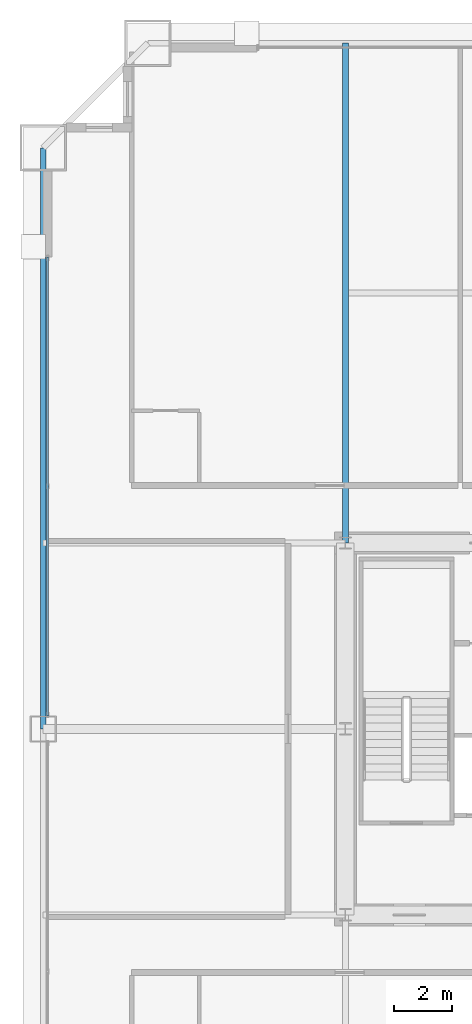
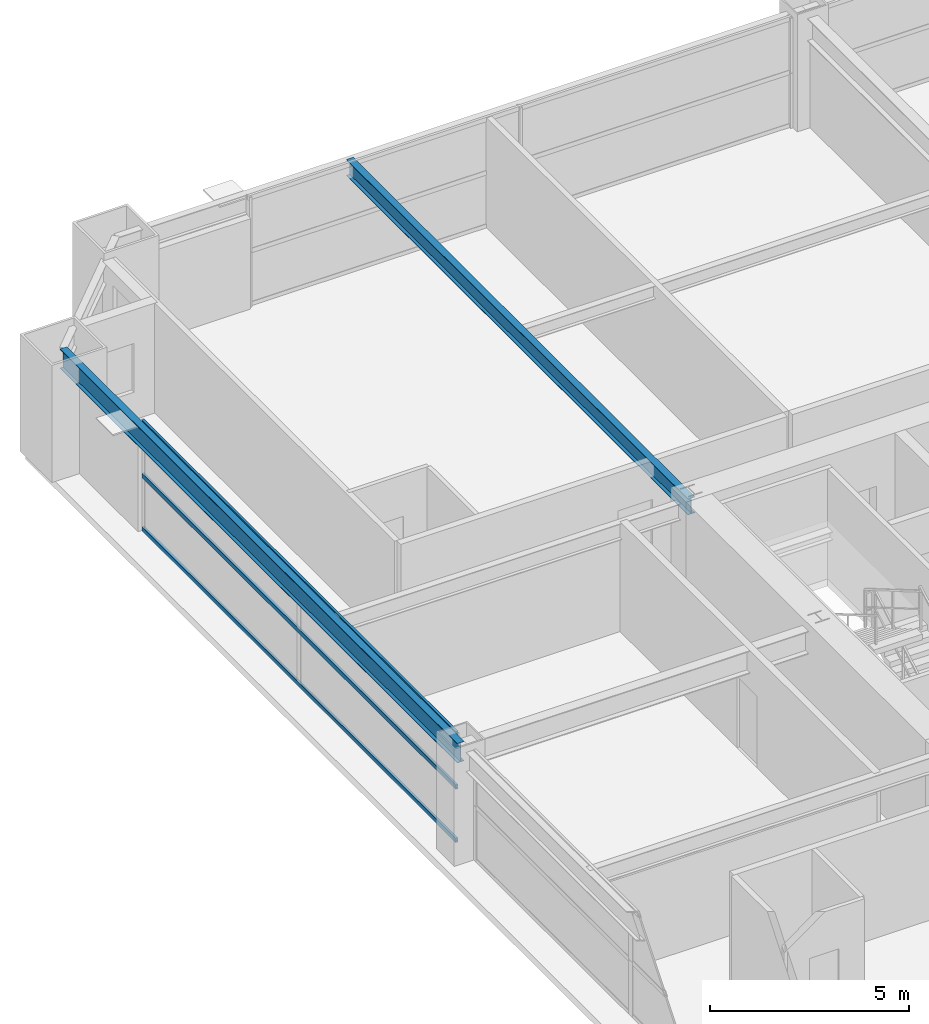
# One storey, part 21 of 37: 3 members, 2 beams, 1 element without a shape of its own.
"""IFC4 building model written with IfcOpenShell, lengths in metres."""

import ifcopenshell
import ifcopenshell.guid

model = None  # the IFC model being written
_history = None  # IfcOwnerHistory: only IFC2X3 demands one
_inside = {}  # id of a spatial element -> (the spatial element, [elements in it])
_under = {}  # id of a project, library or spatial element -> (it, [spatial elements below it])
_declared = {}  # id of a project -> (the project, [libraries it declares])
_typed = {}  # id of a type object -> (the type object, [elements of that type])
_made_of = {}  # id of a material, layer set ... -> (it, [elements and type objects made of it])


def new_model(schema):
    """Start an empty IFC model of exactly this schema.

    Asked for "IFC4X3", IfcOpenShell would pick the latest addendum, in which some entities
    have other attributes; the version numbers below select the first issue.
    IFC2X3 requires an IfcOwnerHistory on every rooted entity: one is made here for all.
    """
    global model, _history
    if schema == "IFC4X3":
        model = ifcopenshell.file(schema_version=(4, 3, 0, 0))
    else:
        model = ifcopenshell.file(schema=schema)
    _inside.clear()
    _under.clear()
    _declared.clear()
    _typed.clear()
    _made_of.clear()
    _history = None
    if model.schema == "IFC2X3":
        org = make("IfcOrganization", Name="unknown")
        user = make(
            "IfcPersonAndOrganization",
            ThePerson=make("IfcPerson", FamilyName="unknown"),
            TheOrganization=org,
        )
        app = make(
            "IfcApplication",
            ApplicationDeveloper=org,
            Version="unknown",
            ApplicationFullName="unknown",
            ApplicationIdentifier="unknown",
        )
        _history = make(
            "IfcOwnerHistory",
            OwningUser=user,
            OwningApplication=app,
            ChangeAction="ADDED",
            CreationDate=0,
        )
    return model


def make(cls, **values):
    """One entity of the class cls with the attributes given. An attribute that is None is left unset."""
    return model.create_entity(
        cls, **{name: value for name, value in values.items() if value is not None}
    )


def rooted(cls, **values):
    """An entity with a GlobalId (a new one), such as an element, a storey or a relation."""
    return make(cls, GlobalId=ifcopenshell.guid.new(), OwnerHistory=_history, **values)


def si_unit(unit_type, name, prefix=None):
    """IfcSIUnit, for example si_unit("LENGTHUNIT", "METRE", prefix="MILLI")."""
    return make("IfcSIUnit", UnitType=unit_type, Prefix=prefix, Name=name)


def assignment(units):
    """IfcUnitAssignment: the units of a project."""
    return None if units is None else make("IfcUnitAssignment", Units=units)


def point(xyz):
    """IfcCartesianPoint."""
    return None if xyz is None else make("IfcCartesianPoint", Coordinates=xyz)


def direction(xyz):
    """IfcDirection."""
    return None if xyz is None else make("IfcDirection", DirectionRatios=xyz)


def frame(location, z_axis=None, x_axis=None):
    """IfcAxis2Placement3D, a coordinate frame: its origin and axes. An axis left out is left unset."""
    return make(
        "IfcAxis2Placement3D",
        Location=point(location),
        Axis=direction(z_axis),
        RefDirection=direction(x_axis),
    )


def frame_2d(location, x_axis=None):
    """IfcAxis2Placement2D, a coordinate frame in the plane: its origin and x axis."""
    return make(
        "IfcAxis2Placement2D", Location=point(location), RefDirection=direction(x_axis)
    )


def origin():
    """The frame at (0, 0, 0) with its axes left unset."""
    return frame((0.0, 0.0, 0.0))


def origin_2d():
    """The frame at (0, 0) in the plane with its x axis left unset."""
    return frame_2d((0.0, 0.0))


def place(relative_to, where):
    """IfcLocalPlacement: puts the frame where relative to a parent placement (None: the world)."""
    return make(
        "IfcLocalPlacement", PlacementRelTo=relative_to, RelativePlacement=where
    )


def context(
    kind, dimensions, precision=None, world=None, true_north=None, identifier=None
):
    """IfcGeometricRepresentationContext, for example the 3D "Model" context."""
    return make(
        "IfcGeometricRepresentationContext",
        ContextIdentifier=identifier,
        ContextType=kind,
        CoordinateSpaceDimension=dimensions,
        Precision=precision,
        WorldCoordinateSystem=world,
        TrueNorth=true_north,
    )


def subcontext(parent, identifier, kind, view, scale=None):
    """IfcGeometricRepresentationSubContext, for example "Body" below "Model"."""
    return make(
        "IfcGeometricRepresentationSubContext",
        ContextIdentifier=identifier,
        ContextType=kind,
        ParentContext=parent,
        TargetScale=scale,
        TargetView=view,
    )


def project(units=None, contexts=None):
    """IfcProject with its units and contexts."""
    return rooted(
        "IfcProject",
        Name="project",
        RepresentationContexts=contexts,
        UnitsInContext=assignment(units),
    )


def spatial(cls, under=None, at=None, **own):
    """A site, building, storey or space (cls), placed at a placement, below another one or the project."""
    s = rooted(cls, ObjectPlacement=at, **own)
    if under is not None:
        _under.setdefault(under.id(), (under, []))[1].append(s)
    return s


def profile(cls, at=None, kind="AREA", **sizes):
    """A parametric profile (cls). Its sizes go by their IFC names, for example OverallWidth=200.0."""
    return make(cls, ProfileType=kind, Position=at, **sizes)


def hollow_rectangle(**sizes):
    """IfcRectangleHollowProfileDef."""
    return profile("IfcRectangleHollowProfileDef", **sizes)


def i_section(**sizes):
    """IfcIShapeProfileDef."""
    return profile("IfcIShapeProfileDef", **sizes)


def extrude(swept, where, along, depth):
    """IfcExtrudedAreaSolid: the profile swept, set in the frame where, extruded along a direction by depth."""
    return make(
        "IfcExtrudedAreaSolid",
        SweptArea=swept,
        Position=where,
        ExtrudedDirection=direction(along),
        Depth=depth,
    )


def shape(context_of_items, identifier, shape_type, items):
    """IfcShapeRepresentation: the items that make up one representation, for example the "Body"."""
    return make(
        "IfcShapeRepresentation",
        ContextOfItems=context_of_items,
        RepresentationIdentifier=identifier,
        RepresentationType=shape_type,
        Items=items,
    )


def source(mapping_origin, context_of_items, identifier, shape_type, items):
    """IfcRepresentationMap: a shape defined once, which mapped items show again and again."""
    return make(
        "IfcRepresentationMap",
        MappingOrigin=mapping_origin,
        MappedRepresentation=shape(context_of_items, identifier, shape_type, items),
    )


def transform(
    local_origin,
    x_axis=None,
    y_axis=None,
    z_axis=None,
    scale=None,
    scale2=None,
    scale3=None,
    uniform=True,
):
    """IfcCartesianTransformationOperator3D, or its non-uniform kind. x_axis, y_axis, z_axis: its Axis1, 2, 3."""
    if uniform:
        return make(
            "IfcCartesianTransformationOperator3D",
            Axis1=direction(x_axis),
            Axis2=direction(y_axis),
            LocalOrigin=point(local_origin),
            Scale=scale,
            Axis3=direction(z_axis),
        )
    return make(
        "IfcCartesianTransformationOperator3DnonUniform",
        Axis1=direction(x_axis),
        Axis2=direction(y_axis),
        LocalOrigin=point(local_origin),
        Scale=scale,
        Axis3=direction(z_axis),
        Scale2=scale2,
        Scale3=scale3,
    )


def mapped(mapping_source, mapping_target):
    """IfcMappedItem: shows the shape of a source again, moved by a transform."""
    return make(
        "IfcMappedItem", MappingSource=mapping_source, MappingTarget=mapping_target
    )


def material(Name=None, Category=None):
    """IfcMaterial."""
    return make("IfcMaterial", Name=Name, Category=Category)


def layer(
    of_material, thickness, ventilated=None, Name=None, Category=None, Priority=None
):
    """IfcMaterialLayer: one layer of a wall or slab, of a material (None: an air gap)."""
    return make(
        "IfcMaterialLayer",
        Material=of_material,
        LayerThickness=thickness,
        IsVentilated=ventilated,
        Name=Name,
        Category=Category,
        Priority=Priority,
    )


def layer_set(layers, Name=None):
    """IfcMaterialLayerSet."""
    return make("IfcMaterialLayerSet", MaterialLayers=layers, LayerSetName=Name)


def material_profile(
    of_material, cross_section, Name=None, Category=None, Priority=None
):
    """IfcMaterialProfile: a cross section and its material."""
    return make(
        "IfcMaterialProfile",
        Name=Name,
        Material=of_material,
        Profile=cross_section,
        Priority=Priority,
        Category=Category,
    )


def profile_set(profiles, Name=None, composite=None):
    """IfcMaterialProfileSet."""
    return make(
        "IfcMaterialProfileSet",
        Name=Name,
        MaterialProfiles=profiles,
        CompositeProfile=composite,
    )


def made_of(thing, what):
    """Note that an element or type object is made of a material, layer set ...; save() writes the relation."""
    if what is not None:
        _made_of.setdefault(what.id(), (what, []))[1].append(thing)
    return thing


def type_object(cls, material=None, **own):
    """A type object (cls), such as IfcWallType, which elements share."""
    return made_of(rooted(cls, **own), material)


def element(
    cls,
    number,
    at=None,
    inside=None,
    cuts=None,
    type_object=None,
    material=None,
    context=None,
    identifier="Body",
    shape_type=None,
    held_by="IfcProductDefinitionShape",
    body=None,
    shapes=None,
    **own,
):
    """One element of the class cls, such as IfcWall. Its Tag is "e" and its number.

    at: its placement. inside: the storey or other place that contains it. cuts: it is an
    opening in that element (IfcRelVoidsElement). A single representation is given by context,
    identifier, shape_type and body (its items); several are given by shapes. held_by: the class
    of the entity that holds the representations. save() writes the other relations.
    """
    e = rooted(cls, Tag="e%d" % number, ObjectPlacement=at, **own)
    if body is not None:
        shapes = [shape(context, identifier, shape_type, body)]
    if shapes is not None:
        e.Representation = make(held_by, Representations=shapes)
    if inside is not None:
        _inside.setdefault(inside.id(), (inside, []))[1].append(e)
    if cuts is not None:
        rooted(
            "IfcRelVoidsElement", RelatingBuildingElement=cuts, RelatedOpeningElement=e
        )
    if type_object is not None:
        _typed.setdefault(type_object.id(), (type_object, []))[1].append(e)
    return made_of(e, material)


def aggregate(whole, parts):
    """IfcRelAggregates: a whole, such as a stair, and the parts it consists of."""
    return rooted("IfcRelAggregates", RelatingObject=whole, RelatedObjects=parts)


def save(model, path):
    """Write the relations noted so far, then the file.

    IfcRelAggregates (storeys below a building ...), IfcRelContainedInSpatialStructure (elements
    in a storey), IfcRelDefinesByType, IfcRelAssociatesMaterial and IfcRelDeclares: one each for
    every whole, place, type object, material and project.
    """
    for whole, parts in _under.values():
        aggregate(whole, parts)
    for where, things in _inside.values():
        rooted(
            "IfcRelContainedInSpatialStructure",
            RelatedElements=things,
            RelatingStructure=where,
        )
    for kind, things in _typed.values():
        rooted("IfcRelDefinesByType", RelatedObjects=things, RelatingType=kind)
    for what, things in _made_of.values():
        rooted("IfcRelAssociatesMaterial", RelatedObjects=things, RelatingMaterial=what)
    for by, libraries in _declared.values():
        rooted("IfcRelDeclares", RelatingContext=by, RelatedDefinitions=libraries)
    model.write(path)


model = new_model("IFC4")

# Units and contexts
model_context = context("Model", 3, precision=1e-05, world=origin(), true_north=direction((0.0, 1.0)))
body_context = subcontext(model_context, "Body", "Model", "MODEL_VIEW")
ifc_project = project(units=[si_unit("LENGTHUNIT", "METRE"), si_unit("AREAUNIT", "SQUARE_METRE"), si_unit("VOLUMEUNIT", "CUBIC_METRE"), si_unit("PLANEANGLEUNIT", "RADIAN"), si_unit("MASSUNIT", "GRAM", prefix="KILO"), si_unit("THERMODYNAMICTEMPERATUREUNIT", "KELVIN"), si_unit("POWERUNIT", "WATT")], contexts=[model_context])

# Site, building, storey
site_placement = place(None, origin())
site = spatial("IfcSite", under=ifc_project, at=site_placement, CompositionType="ELEMENT")
building_placement = place(site_placement, origin())
building = spatial("IfcBuilding", under=site, at=building_placement, Name="Yuzanri Waterfront Tower", CompositionType="ELEMENT")
storey_placement = place(building_placement, frame((0.0, 0.0, 104.60009765625)))
storey = spatial("IfcBuildingStorey", under=building, at=storey_placement, Name="L27", CompositionType="ELEMENT", Elevation=104.60009765625)

# Beams
ifc_material_1 = material(Name="Steel Q355B", Category="steel")
ifc_material_profile_1 = material_profile(ifc_material_1, i_section(OverallWidth=0.199951171875, OverallDepth=0.60009765625, WebThickness=0.010986328125, FlangeThickness=0.01708984375, at=origin_2d()), Name="HN 600x200x11x17")
ifc_profile_set_1 = profile_set([ifc_material_profile_1], Name="Steel Q355B")
beam_type_1 = type_object("IfcBeamType", Name="Perimeter Spandrel Q355B HN 600x200", PredefinedType="SPANDREL", material=ifc_profile_set_1)
shared_shape_1 = source(origin(), body_context, "Body", "SweptSolid", [
    extrude(i_section(OverallWidth=0.199951171875, OverallDepth=0.60009765625, WebThickness=0.010986328125, FlangeThickness=0.01708984375, at=origin_2d()), origin(), (0.0, 0.0, 1.0), 20.0),
])
beam_1_placement = place(storey_placement, frame((13.39990234375, 45.800048828125, 3.079833984375), z_axis=(0.0, -1.0, 0.0), x_axis=(1.0, 0.0, 0.0)))
element("IfcBeam", 1, at=beam_1_placement, inside=storey, type_object=beam_type_1, Name="L27 Perimeter Spandrel W3-W2", PredefinedType="SPANDREL", context=body_context, shape_type="MappedRepresentation", body=[
    mapped(shared_shape_1, transform((0.0, 0.0, 0.0), scale=1.0)),
])
ifc_material_2 = material(Name="Steel Q355B", Category="steel")
ifc_material_profile_2 = material_profile(ifc_material_2, i_section(OverallWidth=0.199951171875, OverallDepth=0.5, WebThickness=0.010009765625, FlangeThickness=0.01611328125, at=origin_2d()), Name="HN 500x200x10x16")
ifc_profile_set_2 = profile_set([ifc_material_profile_2], Name="Steel Q355B")
beam_type_2 = type_object("IfcBeamType", Name="Secondary Floor Beam Q355B HN 500x200", PredefinedType="BEAM", material=ifc_profile_set_2)
shared_shape_2 = source(origin(), body_context, "Body", "SweptSolid", [
    extrude(i_section(OverallWidth=0.199951171875, OverallDepth=0.5, WebThickness=0.010009765625, FlangeThickness=0.01611328125, at=origin_2d()), origin(), (0.0, 0.0, 1.0), 17.199951171875),
])
beam_2_placement = place(storey_placement, frame((23.800048828125, 32.199951171875, 3.1298828125), z_axis=(0.0, 1.0, 0.0), x_axis=(-1.0, 0.0, 0.0)))
element("IfcBeam", 2, at=beam_2_placement, inside=storey, type_object=beam_type_2, Name="L27 North-West Core Line Beam", PredefinedType="BEAM", context=body_context, shape_type="MappedRepresentation", body=[
    mapped(shared_shape_2, transform((0.0, 0.0, 0.0), scale=1.0)),
])

# Curtain wall, members
ifc_material_3 = material(Name="Anodized Architectural Bronze", Category="metal")
ifc_layer = layer(ifc_material_3, 0.159912109375)
ifc_layer_set = layer_set([ifc_layer], Name="Anodized Architectural Bronze")
curtain_wall_type = type_object("IfcCurtainWallType", Name="Anodized Bronze Hotel Upper-Tier Solar-Control Unitized Curtain Wall 7800", PredefinedType="NOTDEFINED", material=ifc_layer_set)
curtain_wall_placement = place(storey_placement, origin())
curtain_wall = element("IfcCurtainWall", 3, at=curtain_wall_placement, inside=storey, type_object=curtain_wall_type, Name="L27 Curtain Wall CW-L27-WR", PredefinedType="NOTDEFINED")
ifc_material_4 = material(Name="Anodized Architectural Bronze", Category="metal")
ifc_material_profile_3 = material_profile(ifc_material_4, hollow_rectangle(XDim=0.070068359375, YDim=0.135009765625, WallThickness=0.00341796875, at=origin_2d()), Name="CWT 70x135")
ifc_profile_set_3 = profile_set([ifc_material_profile_3], Name="Anodized Architectural Bronze")
member_type = type_object("IfcMemberType", Name="Anodized Bronze Standard Curtain-Wall Transom 70x135", PredefinedType="USERDEFINED", material=ifc_profile_set_3)
shared_shape_3 = source(origin(), body_context, "Body", "SweptSolid", [
    extrude(hollow_rectangle(XDim=0.070068359375, YDim=0.135009765625, WallThickness=0.00341796875, at=origin_2d()), origin(), (0.0, 0.0, 1.0), 15.800048828125),
])
member_1_placement = place(storey_placement, frame((13.550048828125, 26.25, 0.0498046875), z_axis=(0.0, 1.0, 0.0), x_axis=(-1.0, 0.0, 0.0)))
member_1 = element("IfcMember", 4, at=member_1_placement, type_object=member_type, Name="CW-L27-WR Transom 1", ObjectType="TRANSOM", PredefinedType="USERDEFINED", context=body_context, shape_type="MappedRepresentation", body=[
    mapped(shared_shape_3, transform((0.0, 0.0, 0.0), scale=1.0)),
])
member_2_placement = place(storey_placement, frame((13.550048828125, 26.25, 1.68994140625), z_axis=(0.0, 1.0, 0.0), x_axis=(-1.0, 0.0, 0.0)))
member_2 = element("IfcMember", 5, at=member_2_placement, type_object=member_type, Name="CW-L27-WR Transom 2", ObjectType="TRANSOM", PredefinedType="USERDEFINED", context=body_context, shape_type="MappedRepresentation", body=[
    mapped(shared_shape_3, transform((0.0, 0.0, 0.0), scale=1.0)),
])
member_3_placement = place(storey_placement, frame((13.550048828125, 26.25, 3.329833984375), z_axis=(0.0, 1.0, 0.0), x_axis=(-1.0, 0.0, 0.0)))
member_3 = element("IfcMember", 6, at=member_3_placement, type_object=member_type, Name="CW-L27-WR Transom 3", ObjectType="TRANSOM", PredefinedType="USERDEFINED", context=body_context, shape_type="MappedRepresentation", body=[
    mapped(shared_shape_3, transform((0.0, 0.0, 0.0), scale=1.0)),
])
aggregate(curtain_wall, [member_1, member_2, member_3])

save(model, "model.ifc")
